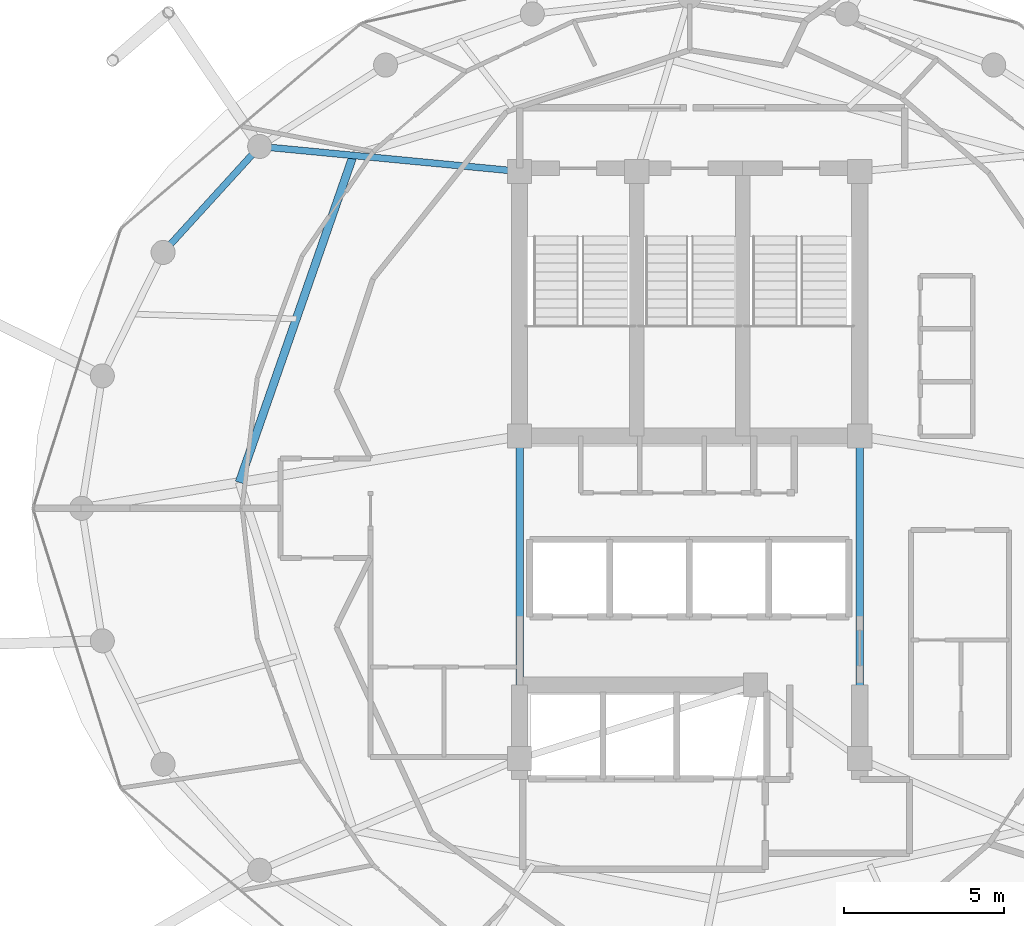
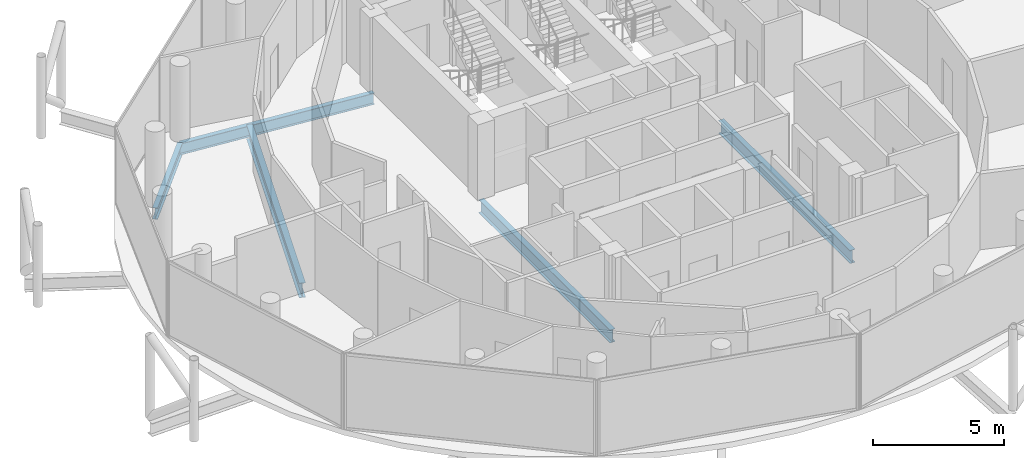
# One storey, part 8 of 24: 5 beams.
"""IFC4 building model written with IfcOpenShell, lengths in metres."""

from ifc_helpers import new_model, si_unit, direction, frame, origin, origin_2d, place, context, subcontext, project, spatial, i_section, extrude, material, material_profile, profile_set, type_object, element, save


model = new_model("IFC4")

# Units and contexts
model_context = context("Model", 3, precision=1e-05, world=origin(), true_north=direction((0.0, 1.0)))
body_context = subcontext(model_context, "Body", "Model", "MODEL_VIEW")
ifc_project = project(units=[si_unit("LENGTHUNIT", "METRE"), si_unit("AREAUNIT", "SQUARE_METRE"), si_unit("VOLUMEUNIT", "CUBIC_METRE"), si_unit("PLANEANGLEUNIT", "RADIAN"), si_unit("MASSUNIT", "GRAM", prefix="KILO")], contexts=[model_context])

# Site, building, storey
site_placement = place(None, origin())
site = spatial("IfcSite", under=ifc_project, at=site_placement, CompositionType="ELEMENT")
building_placement = place(site_placement, origin())
building = spatial("IfcBuilding", under=site, at=building_placement, Name="Nuhasar Tower", CompositionType="ELEMENT")
storey_placement = place(building_placement, frame((0.0, 0.0, 289.800048828125)))
storey = spatial("IfcBuildingStorey", under=building, at=storey_placement, Name="L72", CompositionType="ELEMENT", Elevation=289.800048828125)

# Beams
ifc_material = material(Name="Steel S355", Category="steel")
ifc_material_profile_1 = material_profile(ifc_material, i_section(OverallWidth=0.25390625, OverallDepth=0.68408203125, WebThickness=0.012451171875, FlangeThickness=0.018798828125, at=origin_2d()), Name="W27X94")
ifc_profile_set_1 = profile_set([ifc_material_profile_1], Name="Steel S355")
beam_type_1 = type_object("IfcBeamType", Name="BM-INRING-W27X94", PredefinedType="BEAM", material=ifc_profile_set_1)
beam_1_placement = place(storey_placement, frame((28.51611328125, 37.798095703125, -0.60205078125), z_axis=(-0.329211236979, -0.944256300718, 0.0), x_axis=(0.944256300718, -0.329211236979, 0.0)))
element("IfcBeam", 1, at=beam_1_placement, inside=storey, type_object=beam_type_1, Name="L72 Inner Header Beam 07", PredefinedType="BEAM", context=body_context, shape_type="SweptSolid", body=[
    extrude(i_section(OverallWidth=0.25390625, OverallDepth=0.68408203125, WebThickness=0.012451171875, FlangeThickness=0.018798828125, at=origin_2d()), origin(), (0.0, 0.0, 1.0), 10.78955078125),
])
ifc_material_profile_2 = material_profile(ifc_material, i_section(OverallWidth=0.208984375, OverallDepth=0.528076171875, WebThickness=0.009521484375, FlangeThickness=0.01318359375, at=origin_2d()), Name="W21X55")
ifc_profile_set_2 = profile_set([ifc_material_profile_2], Name="Steel S355")
beam_type_2 = type_object("IfcBeamType", Name="BM-RAD-W21X55", PredefinedType="BEAM", material=ifc_profile_set_2)
beam_2_placement = place(storey_placement, frame((33.699951171875, 37.300048828125, -0.524169921875), z_axis=(-0.99542073054, 0.095590633496, 0.0), x_axis=(-0.095590633496, -0.99542073054, 0.0)))
element("IfcBeam", 2, at=beam_2_placement, inside=storey, type_object=beam_type_2, Name="L72 Radial Floor Girder 07", PredefinedType="BEAM", context=body_context, shape_type="SweptSolid", body=[
    extrude(i_section(OverallWidth=0.208984375, OverallDepth=0.528076171875, WebThickness=0.009521484375, FlangeThickness=0.01318359375, at=origin_2d()), origin(), (0.0, 0.0, 1.0), 8.13720703125),
])
ifc_material_profile_3 = material_profile(ifc_material, i_section(OverallWidth=0.22900390625, OverallDepth=0.612060546875, WebThickness=0.011962890625, FlangeThickness=0.01953125, at=origin_2d()), Name="W24X84")
ifc_profile_set_3 = profile_set([ifc_material_profile_3], Name="Steel S355")
beam_type_3 = type_object("IfcBeamType", Name="BM-RAD-W24X84", PredefinedType="BEAM", material=ifc_profile_set_3)
for number, where, z_axis, x_axis, name in (
    (3, (44.300048828125, 19.0, -0.566162109375), (0.0, 1.0, 0.0), (-1.0, 0.0, 0.0), "L72 Core Ring Girder 3"),
    (4, (33.699951171875, 29.050048828125, -0.566162109375), (0.0, -1.0, 0.0), (1.0, 0.0, 0.0), "L72 Core Ring Girder 8"),
):
    element("IfcBeam", number, at=place(storey_placement, frame(where, z_axis=z_axis, x_axis=x_axis)), inside=storey, type_object=beam_type_3, Name=name, PredefinedType="BEAM", context=body_context, shape_type="SweptSolid", body=[
        extrude(i_section(OverallWidth=0.22900390625, OverallDepth=0.612060546875, WebThickness=0.011962890625, FlangeThickness=0.01953125, at=origin_2d()), origin(), (0.0, 0.0, 1.0), 10.050048828125),
    ])
ifc_material_profile_4 = material_profile(ifc_material, i_section(OverallWidth=0.2099609375, OverallDepth=0.537109375, WebThickness=0.010986328125, FlangeThickness=0.017333984375, at=origin_2d()), Name="W21X68")
ifc_profile_set_4 = profile_set([ifc_material_profile_4], Name="Steel S355")
beam_type_4 = type_object("IfcBeamType", Name="BM-RING-W21X68", PredefinedType="SPANDREL", material=ifc_profile_set_4)
beam_3_placement = place(storey_placement, frame((25.60009765625, 38.077880859375, -0.528076171875), z_axis=(-0.673686302939, -0.739017432293, 0.0), x_axis=(0.739017432293, -0.673686302939, 0.0)))
element("IfcBeam", 5, at=beam_3_placement, inside=storey, type_object=beam_type_4, Name="L72 Perimeter Ring Spandrel 10", PredefinedType="SPANDREL", context=body_context, shape_type="SweptSolid", body=[
    extrude(i_section(OverallWidth=0.2099609375, OverallDepth=0.537109375, WebThickness=0.010986328125, FlangeThickness=0.017333984375, at=origin_2d()), origin(), (0.0, 0.0, 1.0), 4.469482421875),
])

save(model, "model.ifc")
